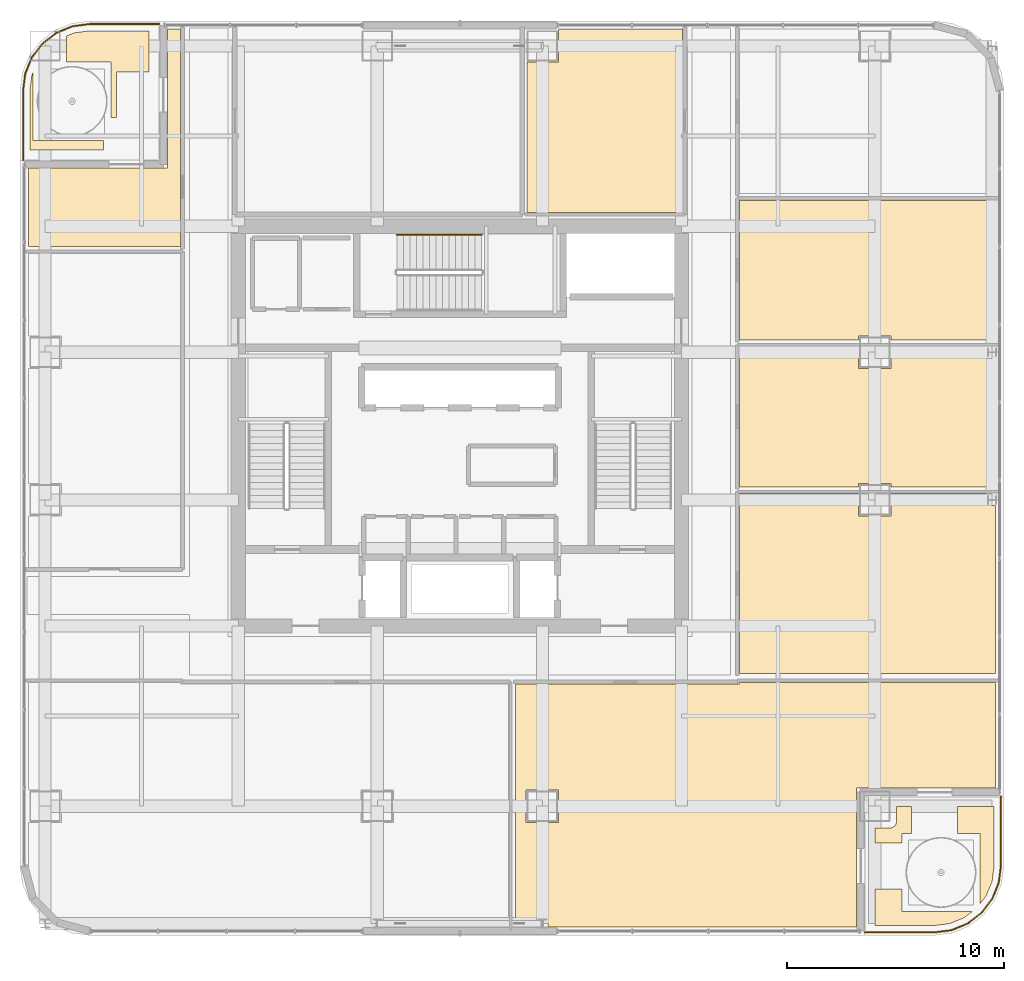
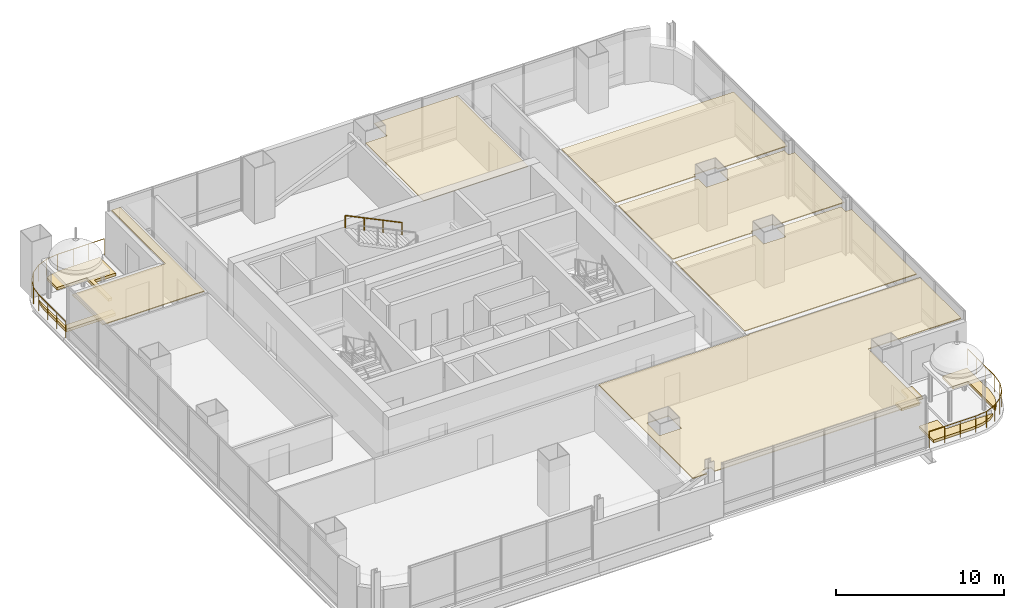
# One storey, part 39 of 41: 11 coverings, 3 railings.
"""IFC4 building model written with IfcOpenShell, lengths in metres."""

import ifcopenshell
import ifcopenshell.guid

model = None  # the IFC model being written
_history = None  # IfcOwnerHistory: only IFC2X3 demands one
_inside = {}  # id of a spatial element -> (the spatial element, [elements in it])
_under = {}  # id of a project, library or spatial element -> (it, [spatial elements below it])
_declared = {}  # id of a project -> (the project, [libraries it declares])
_typed = {}  # id of a type object -> (the type object, [elements of that type])
_made_of = {}  # id of a material, layer set ... -> (it, [elements and type objects made of it])


def new_model(schema):
    """Start an empty IFC model of exactly this schema.

    Asked for "IFC4X3", IfcOpenShell would pick the latest addendum, in which some entities
    have other attributes; the version numbers below select the first issue.
    IFC2X3 requires an IfcOwnerHistory on every rooted entity: one is made here for all.
    """
    global model, _history
    if schema == "IFC4X3":
        model = ifcopenshell.file(schema_version=(4, 3, 0, 0))
    else:
        model = ifcopenshell.file(schema=schema)
    _inside.clear()
    _under.clear()
    _declared.clear()
    _typed.clear()
    _made_of.clear()
    _history = None
    if model.schema == "IFC2X3":
        org = make("IfcOrganization", Name="unknown")
        user = make(
            "IfcPersonAndOrganization",
            ThePerson=make("IfcPerson", FamilyName="unknown"),
            TheOrganization=org,
        )
        app = make(
            "IfcApplication",
            ApplicationDeveloper=org,
            Version="unknown",
            ApplicationFullName="unknown",
            ApplicationIdentifier="unknown",
        )
        _history = make(
            "IfcOwnerHistory",
            OwningUser=user,
            OwningApplication=app,
            ChangeAction="ADDED",
            CreationDate=0,
        )
    return model


def make(cls, **values):
    """One entity of the class cls with the attributes given. An attribute that is None is left unset."""
    return model.create_entity(
        cls, **{name: value for name, value in values.items() if value is not None}
    )


def rooted(cls, **values):
    """An entity with a GlobalId (a new one), such as an element, a storey or a relation."""
    return make(cls, GlobalId=ifcopenshell.guid.new(), OwnerHistory=_history, **values)


def si_unit(unit_type, name, prefix=None):
    """IfcSIUnit, for example si_unit("LENGTHUNIT", "METRE", prefix="MILLI")."""
    return make("IfcSIUnit", UnitType=unit_type, Prefix=prefix, Name=name)


def assignment(units):
    """IfcUnitAssignment: the units of a project."""
    return None if units is None else make("IfcUnitAssignment", Units=units)


def point(xyz):
    """IfcCartesianPoint."""
    return None if xyz is None else make("IfcCartesianPoint", Coordinates=xyz)


def direction(xyz):
    """IfcDirection."""
    return None if xyz is None else make("IfcDirection", DirectionRatios=xyz)


def frame(location, z_axis=None, x_axis=None):
    """IfcAxis2Placement3D, a coordinate frame: its origin and axes. An axis left out is left unset."""
    return make(
        "IfcAxis2Placement3D",
        Location=point(location),
        Axis=direction(z_axis),
        RefDirection=direction(x_axis),
    )


def frame_2d(location, x_axis=None):
    """IfcAxis2Placement2D, a coordinate frame in the plane: its origin and x axis."""
    return make(
        "IfcAxis2Placement2D", Location=point(location), RefDirection=direction(x_axis)
    )


def origin():
    """The frame at (0, 0, 0) with its axes left unset."""
    return frame((0.0, 0.0, 0.0))


def origin_2d():
    """The frame at (0, 0) in the plane with its x axis left unset."""
    return frame_2d((0.0, 0.0))


def place(relative_to, where):
    """IfcLocalPlacement: puts the frame where relative to a parent placement (None: the world)."""
    return make(
        "IfcLocalPlacement", PlacementRelTo=relative_to, RelativePlacement=where
    )


def context(
    kind, dimensions, precision=None, world=None, true_north=None, identifier=None
):
    """IfcGeometricRepresentationContext, for example the 3D "Model" context."""
    return make(
        "IfcGeometricRepresentationContext",
        ContextIdentifier=identifier,
        ContextType=kind,
        CoordinateSpaceDimension=dimensions,
        Precision=precision,
        WorldCoordinateSystem=world,
        TrueNorth=true_north,
    )


def subcontext(parent, identifier, kind, view, scale=None):
    """IfcGeometricRepresentationSubContext, for example "Body" below "Model"."""
    return make(
        "IfcGeometricRepresentationSubContext",
        ContextIdentifier=identifier,
        ContextType=kind,
        ParentContext=parent,
        TargetScale=scale,
        TargetView=view,
    )


def project(units=None, contexts=None):
    """IfcProject with its units and contexts."""
    return rooted(
        "IfcProject",
        Name="project",
        RepresentationContexts=contexts,
        UnitsInContext=assignment(units),
    )


def spatial(cls, under=None, at=None, **own):
    """A site, building, storey or space (cls), placed at a placement, below another one or the project."""
    s = rooted(cls, ObjectPlacement=at, **own)
    if under is not None:
        _under.setdefault(under.id(), (under, []))[1].append(s)
    return s


def polyline(points):
    """IfcPolyline through the points."""
    return make("IfcPolyline", Points=[point(p) for p in points])


def profile(cls, at=None, kind="AREA", **sizes):
    """A parametric profile (cls). Its sizes go by their IFC names, for example OverallWidth=200.0."""
    return make(cls, ProfileType=kind, Position=at, **sizes)


def circle(**sizes):
    """IfcCircleProfileDef."""
    return profile("IfcCircleProfileDef", **sizes)


def outline(outer, holes=None, kind="AREA"):
    """IfcArbitraryClosedProfileDef: a profile drawn as a closed curve; with holes, ...WithVoids."""
    if holes is None:
        return make("IfcArbitraryClosedProfileDef", ProfileType=kind, OuterCurve=outer)
    return make(
        "IfcArbitraryProfileDefWithVoids",
        ProfileType=kind,
        OuterCurve=outer,
        InnerCurves=holes,
    )


def extrude(swept, where, along, depth):
    """IfcExtrudedAreaSolid: the profile swept, set in the frame where, extruded along a direction by depth."""
    return make(
        "IfcExtrudedAreaSolid",
        SweptArea=swept,
        Position=where,
        ExtrudedDirection=direction(along),
        Depth=depth,
    )


def shape(context_of_items, identifier, shape_type, items):
    """IfcShapeRepresentation: the items that make up one representation, for example the "Body"."""
    return make(
        "IfcShapeRepresentation",
        ContextOfItems=context_of_items,
        RepresentationIdentifier=identifier,
        RepresentationType=shape_type,
        Items=items,
    )


def material(Name=None, Category=None):
    """IfcMaterial."""
    return make("IfcMaterial", Name=Name, Category=Category)


def layer(
    of_material, thickness, ventilated=None, Name=None, Category=None, Priority=None
):
    """IfcMaterialLayer: one layer of a wall or slab, of a material (None: an air gap)."""
    return make(
        "IfcMaterialLayer",
        Material=of_material,
        LayerThickness=thickness,
        IsVentilated=ventilated,
        Name=Name,
        Category=Category,
        Priority=Priority,
    )


def layer_set(layers, Name=None):
    """IfcMaterialLayerSet."""
    return make("IfcMaterialLayerSet", MaterialLayers=layers, LayerSetName=Name)


def made_of(thing, what):
    """Note that an element or type object is made of a material, layer set ...; save() writes the relation."""
    if what is not None:
        _made_of.setdefault(what.id(), (what, []))[1].append(thing)
    return thing


def type_object(cls, material=None, **own):
    """A type object (cls), such as IfcWallType, which elements share."""
    return made_of(rooted(cls, **own), material)


def element(
    cls,
    number,
    at=None,
    inside=None,
    cuts=None,
    type_object=None,
    material=None,
    context=None,
    identifier="Body",
    shape_type=None,
    held_by="IfcProductDefinitionShape",
    body=None,
    shapes=None,
    **own,
):
    """One element of the class cls, such as IfcWall. Its Tag is "e" and its number.

    at: its placement. inside: the storey or other place that contains it. cuts: it is an
    opening in that element (IfcRelVoidsElement). A single representation is given by context,
    identifier, shape_type and body (its items); several are given by shapes. held_by: the class
    of the entity that holds the representations. save() writes the other relations.
    """
    e = rooted(cls, Tag="e%d" % number, ObjectPlacement=at, **own)
    if body is not None:
        shapes = [shape(context, identifier, shape_type, body)]
    if shapes is not None:
        e.Representation = make(held_by, Representations=shapes)
    if inside is not None:
        _inside.setdefault(inside.id(), (inside, []))[1].append(e)
    if cuts is not None:
        rooted(
            "IfcRelVoidsElement", RelatingBuildingElement=cuts, RelatedOpeningElement=e
        )
    if type_object is not None:
        _typed.setdefault(type_object.id(), (type_object, []))[1].append(e)
    return made_of(e, material)


def aggregate(whole, parts):
    """IfcRelAggregates: a whole, such as a stair, and the parts it consists of."""
    return rooted("IfcRelAggregates", RelatingObject=whole, RelatedObjects=parts)


def save(model, path):
    """Write the relations noted so far, then the file.

    IfcRelAggregates (storeys below a building ...), IfcRelContainedInSpatialStructure (elements
    in a storey), IfcRelDefinesByType, IfcRelAssociatesMaterial and IfcRelDeclares: one each for
    every whole, place, type object, material and project.
    """
    for whole, parts in _under.values():
        aggregate(whole, parts)
    for where, things in _inside.values():
        rooted(
            "IfcRelContainedInSpatialStructure",
            RelatedElements=things,
            RelatingStructure=where,
        )
    for kind, things in _typed.values():
        rooted("IfcRelDefinesByType", RelatedObjects=things, RelatingType=kind)
    for what, things in _made_of.values():
        rooted("IfcRelAssociatesMaterial", RelatedObjects=things, RelatingMaterial=what)
    for by, libraries in _declared.values():
        rooted("IfcRelDeclares", RelatingContext=by, RelatedDefinitions=libraries)
    model.write(path)


model = new_model("IFC4")

# Units and contexts
model_context = context("Model", 3, precision=1e-05, world=origin(), true_north=direction((0.0, 1.0)))
body_context = subcontext(model_context, "Body", "Model", "MODEL_VIEW")
ifc_project = project(units=[si_unit("LENGTHUNIT", "METRE"), si_unit("AREAUNIT", "SQUARE_METRE"), si_unit("VOLUMEUNIT", "CUBIC_METRE"), si_unit("PLANEANGLEUNIT", "RADIAN"), si_unit("MASSUNIT", "GRAM", prefix="KILO")], contexts=[model_context])

# Site, building, storey
site_placement = place(None, origin())
site = spatial("IfcSite", under=ifc_project, at=site_placement, CompositionType="ELEMENT")
building_placement = place(site_placement, origin())
building = spatial("IfcBuilding", under=site, at=building_placement, Name="Punatoya Terracotta Tower", CompositionType="ELEMENT")
storey_placement = place(building_placement, frame((0.0, 0.0, 220.800048828125)))
storey = spatial("IfcBuildingStorey", under=building, at=storey_placement, Name="L52", CompositionType="ELEMENT", Elevation=220.800048828125)

# Coverings
ifc_material_1 = material(Name="Acoustic Mineral Fibre Ceiling")
ifc_layer_1 = layer(ifc_material_1, 0.06005859375)
ifc_layer_set_1 = layer_set([ifc_layer_1], Name="Acoustic Mineral Fibre Ceiling")
covering_type_1 = type_object("IfcCoveringType", Name="COV-CEIL-60", PredefinedType="CEILING", material=ifc_layer_set_1)
covering_1_placement = place(storey_placement, frame((0.0, 0.0, 3.219970703125)))
element("IfcCovering", 1, at=covering_1_placement, inside=storey, type_object=covering_type_1, Name="L52 Cartography Reference Library Acoustic Ceiling", PredefinedType="CEILING", context=body_context, shape_type="SweptSolid", body=[
    extrude(outline(polyline([(12.8701171875, -11.8701171875), (2.56005859375, -11.8701171875), (2.56005859375, -23.070068359375), (3.54541015625, -23.070068359375), (3.54541015625, -22.637451171875), (4.054443359375, -22.637451171875), (4.054443359375, -23.070068359375), (18.27001953125, -23.070068359375), (18.27001953125, -16.669921875), (24.669921875, -16.669921875), (24.669921875, -11.81005859375), (12.8701171875, -11.81005859375), (12.8701171875, -11.8701171875)]), holes=[polyline([(3.050048828125, -18.25), (3.050048828125, -16.75), (4.550048828125, -16.75), (4.550048828125, -18.25), (3.050048828125, -18.25)])]), origin(), (0.0, 0.0, 1.0), 0.06005859375),
])
covering_2_placement = place(storey_placement, frame((0.0, 0.0, 3.219970703125)))
element("IfcCovering", 2, at=covering_2_placement, inside=storey, type_object=covering_type_1, Name="L52 Open-Plan Materials Testing Laboratory Acoustic Ceiling", PredefinedType="CEILING", context=body_context, shape_type="SweptSolid", body=[
    extrude(outline(polyline([(24.24560546875, -3.114013671875), (19.85009765625, -3.114013671875), (19.85009765625, -4.14990234375), (18.35009765625, -4.14990234375), (18.35009765625, -3.114013671875), (12.8701171875, -3.114013671875), (12.8701171875, -11.389892578125), (24.669921875, -11.389892578125), (24.669921875, -3.66259765625), (24.24560546875, -3.66259765625), (24.24560546875, -3.114013671875)])), origin(), (0.0, 0.0, 1.0), 0.06005859375),
])
covering_3_placement = place(storey_placement, frame((0.0, 0.0, 3.219970703125)))
element("IfcCovering", 3, at=covering_3_placement, inside=storey, type_object=covering_type_1, Name="L52 Open-Plan Environmental Research Laboratory Acoustic Ceiling", PredefinedType="CEILING", context=body_context, shape_type="SweptSolid", body=[
    extrude(outline(polyline([(24.24560546875, 3.137451171875), (24.24560546875, 3.639892578125), (19.85009765625, 3.639892578125), (19.85009765625, 2.64990234375), (18.35009765625, 2.64990234375), (18.35009765625, 3.639892578125), (12.8701171875, 3.639892578125), (12.8701171875, -2.7939453125), (18.35009765625, -2.7939453125), (18.35009765625, -2.64990234375), (19.85009765625, -2.64990234375), (19.85009765625, -2.7939453125), (24.669921875, -2.7939453125), (24.669921875, 3.137451171875), (24.24560546875, 3.137451171875)])), origin(), (0.0, 0.0, 1.0), 0.06005859375),
])
covering_4_placement = place(storey_placement, frame((0.0, 0.0, 3.219970703125)))
element("IfcCovering", 4, at=covering_4_placement, inside=storey, type_object=covering_type_1, Name="L52 Laboratory Staff Pantry Acoustic Ceiling", PredefinedType="CEILING", context=body_context, shape_type="SweptSolid", body=[
    extrude(outline(polyline([(18.35009765625, 3.9599609375), (18.35009765625, 4.14990234375), (19.85009765625, 4.14990234375), (19.85009765625, 3.9599609375), (24.669921875, 3.9599609375), (24.669921875, 10.39404296875), (12.8701171875, 10.39404296875), (12.8701171875, 3.9599609375), (18.35009765625, 3.9599609375)])), origin(), (0.0, 0.0, 1.0), 0.06005859375),
])
covering_5_placement = place(storey_placement, frame((0.0, 0.0, 3.219970703125)))
element("IfcCovering", 5, at=covering_5_placement, inside=storey, type_object=covering_type_1, Name="L52 Wellness Rest Room Acoustic Ceiling", PredefinedType="CEILING", context=body_context, shape_type="SweptSolid", body=[
    extrude(outline(polyline([(-13.469970703125, 11.8701171875), (-19.8701171875, 11.8701171875), (-19.8701171875, 8.258056640625), (-12.8701171875, 8.258056640625), (-12.8701171875, 18.27001953125), (-13.469970703125, 18.27001953125), (-13.469970703125, 11.8701171875)])), origin(), (0.0, 0.0, 1.0), 0.06005859375),
])
covering_6_placement = place(storey_placement, frame((0.0, 0.0, 3.219970703125)))
element("IfcCovering", 6, at=covering_6_placement, inside=storey, type_object=covering_type_1, Name="L52 Open-Plan Hydrology Modelling Laboratory Acoustic Ceiling", PredefinedType="CEILING", context=body_context, shape_type="SweptSolid", body=[
    extrude(outline(polyline([(4.550048828125, 18.27001953125), (4.550048828125, 16.75), (3.093994140625, 16.75), (3.093994140625, 9.840087890625), (10.260009765625, 9.840087890625), (10.260009765625, 18.27001953125), (4.550048828125, 18.27001953125)])), origin(), (0.0, 0.0, 1.0), 0.06005859375),
])
ifc_material_2 = material(Name="Green Roof Planting Soil Medium")
ifc_layer_2 = layer(ifc_material_2, 0.35009765625)
ifc_layer_set_2 = layer_set([ifc_layer_2], Name="Green Roof Planting Soil Medium")
covering_type_2 = type_object("IfcCoveringType", Name="COV-TER-350", PredefinedType="ROOFING", material=ifc_layer_set_2)
covering_7_placement = place(storey_placement, origin())
element("IfcCovering", 7, at=covering_7_placement, inside=storey, type_object=covering_type_2, Name="L52 NW Corner Sky-Court Terrace Planted Soil Bed 1", PredefinedType="ROOFING", context=body_context, shape_type="SweptSolid", body=[
    extrude(outline(polyline([(-16.39990234375, 13.14990234375), (-19.64990234375, 13.14990234375), (-19.64990234375, 16.28759765625), (-19.70263671875, 16.16064453125), (-19.800048828125, 15.42041015625), (-19.800048828125, 12.719970703125), (-16.39990234375, 12.719970703125), (-16.39990234375, 13.14990234375)])), origin(), (0.0, 0.0, 1.0), 0.199951171875),
])
covering_8_placement = place(storey_placement, origin())
element("IfcCovering", 8, at=covering_8_placement, inside=storey, type_object=covering_type_2, Name="L52 NW Corner Sky-Court Terrace Planted Soil Bed 2", PredefinedType="ROOFING", context=body_context, shape_type="SweptSolid", body=[
    extrude(outline(polyline([(-16.050048828125, 16.75), (-16.050048828125, 14.199951171875), (-15.800048828125, 14.199951171875), (-15.800048828125, 16.300048828125), (-14.320068359375, 16.300048828125), (-14.320068359375, 18.199951171875), (-17.0205078125, 18.199951171875), (-17.7607421875, 18.1025390625), (-18.10009765625, 17.9619140625), (-18.10009765625, 16.800048828125), (-18.101318359375, 16.7705078125), (-18.1044921875, 16.75), (-16.050048828125, 16.75)])), origin(), (0.0, 0.0, 1.0), 0.199951171875),
])
covering_9_placement = place(storey_placement, origin())
element("IfcCovering", 9, at=covering_9_placement, inside=storey, type_object=covering_type_2, Name="L52 SE Corner Sky-Court Terrace Planted Soil Bed 1", PredefinedType="ROOFING", context=body_context, shape_type="SweptSolid", body=[
    extrude(outline(polyline([(20.35009765625, -18.75), (20.800048828125, -18.75), (20.800048828125, -17.52001953125), (20.10009765625, -17.52001953125), (20.10009765625, -18.199951171875), (20.0986328125, -18.2294921875), (20.09423828125, -18.258544921875), (20.087158203125, -18.287109375), (20.0771484375, -18.314697265625), (20.064697265625, -18.34130859375), (20.04931640625, -18.36669921875), (20.031982421875, -18.390380859375), (20.01220703125, -18.412109375), (19.990234375, -18.431884765625), (19.966796875, -18.449462890625), (19.94140625, -18.464599609375), (19.914794921875, -18.477294921875), (19.88720703125, -18.487060546875), (19.8583984375, -18.494140625), (19.829345703125, -18.49853515625), (19.800048828125, -18.5), (19.1201171875, -18.5), (19.1201171875, -19.199951171875), (20.35009765625, -19.199951171875), (20.35009765625, -18.75)])), origin(), (0.0, 0.0, 1.0), 0.199951171875),
])
covering_10_placement = place(storey_placement, origin())
element("IfcCovering", 10, at=covering_10_placement, inside=storey, type_object=covering_type_2, Name="L52 SE Corner Sky-Court Terrace Planted Soil Bed 2", PredefinedType="ROOFING", context=body_context, shape_type="SweptSolid", body=[
    extrude(outline(polyline([(23.585693359375, -22.35009765625), (20.35009765625, -22.35009765625), (20.35009765625, -21.300048828125), (19.1201171875, -21.300048828125), (19.1201171875, -23.0), (21.820556640625, -23.0), (22.560791015625, -22.902587890625), (23.222900390625, -22.628173828125), (23.585693359375, -22.35009765625)])), origin(), (0.0, 0.0, 1.0), 0.199951171875),
])
covering_11_placement = place(storey_placement, origin())
element("IfcCovering", 11, at=covering_11_placement, inside=storey, type_object=covering_type_2, Name="L52 SE Corner Sky-Court Terrace Planted Soil Bed 3", PredefinedType="ROOFING", context=body_context, shape_type="SweptSolid", body=[
    extrude(outline(polyline([(23.949951171875, -18.75), (23.949951171875, -21.985595703125), (24.228271484375, -21.623046875), (24.502685546875, -20.960693359375), (24.60009765625, -20.220458984375), (24.60009765625, -17.52001953125), (22.89990234375, -17.52001953125), (22.89990234375, -18.75), (23.949951171875, -18.75)])), origin(), (0.0, 0.0, 1.0), 0.199951171875),
])

# Railings
ifc_material_3 = material(Name="Steel S355", Category="steel")
railing_type_1 = type_object("IfcRailingType", Name="RLG-BAL-1200", PredefinedType="BALUSTRADE", material=ifc_material_3)
railing_1_placement = place(storey_placement, frame((-13.840087890625, 18.510009765625, 0.0)))
element("IfcRailing", 12, at=railing_1_placement, inside=storey, type_object=railing_type_1, Name="L52 NW Corner Sky-Court Terrace Guardrail", PredefinedType="BALUSTRADE", context=body_context, shape_type="SweptSolid", body=[
    extrude(circle(Radius=0.02392578125, at=origin_2d()), frame((0.0, 0.0, 1.17578125), z_axis=(-1.0, 0.0, 0.0), x_axis=(0.0, -1.0, 0.0)), (0.0, 0.0, 1.0), 3.20068359375),
    extrude(circle(Radius=0.02392578125, at=origin_2d()), frame((-3.20068359375, 0.0, 1.17578125), z_axis=(-0.991442978173, -0.130540495755, 0.0), x_axis=(0.130540495755, -0.991442978173, 0.0)), (0.0, 0.0, 1.0), 0.807861328125),
    extrude(circle(Radius=0.02392578125, at=origin_2d()), frame((-4.001708984375, -0.10546875, 1.17578125), z_axis=(-0.923916202141, -0.382594892048, 0.0), x_axis=(0.382594892048, -0.923916202141, 0.0)), (0.0, 0.0, 1.0), 0.79833984375),
    extrude(circle(Radius=0.02392578125, at=origin_2d()), frame((-4.7392578125, -0.410888671875, 1.17578125), z_axis=(-0.793237218551, -0.608912731929, 0.0), x_axis=(0.608912731929, -0.793237218551, 0.0)), (0.0, 0.0, 1.0), 0.798583984375),
    extrude(circle(Radius=0.02392578125, at=origin_2d()), frame((-5.372802734375, -0.897216796875, 1.17578125), z_axis=(-0.608868017528, -0.793271540667, 0.0), x_axis=(0.793271540667, -0.608868017528, 0.0)), (0.0, 0.0, 1.0), 0.79833984375),
    extrude(circle(Radius=0.02392578125, at=origin_2d()), frame((-5.85888671875, -1.530517578125, 1.17578125), z_axis=(-0.382747782788, -0.923852875068, 0.0), x_axis=(0.923852875068, -0.382747782788, 0.0)), (0.0, 0.0, 1.0), 0.798583984375),
    extrude(circle(Radius=0.02392578125, at=origin_2d()), frame((-6.16455078125, -2.268310546875, 1.17578125), z_axis=(-0.130579616175, -0.991437826512, 0.0), x_axis=(0.991437826512, -0.130579616175, 0.0)), (0.0, 0.0, 1.0), 0.8076171875),
    extrude(circle(Radius=0.02392578125, at=origin_2d()), frame((-6.27001953125, -3.069091796875, 1.17578125), z_axis=(0.0, -1.0, 0.0), x_axis=(1.0, 0.0, 0.0)), (0.0, 0.0, 1.0), 3.200927734375),
    extrude(circle(Radius=0.02099609375, at=origin_2d()), origin(), (0.0, 0.0, 1.0), 1.15185546875),
    extrude(circle(Radius=0.02099609375, at=origin_2d()), frame((-1.06689453125, 0.0, 0.0)), (0.0, 0.0, 1.0), 1.15185546875),
    extrude(circle(Radius=0.02099609375, at=origin_2d()), frame((-2.1337890625, 0.0, 0.0)), (0.0, 0.0, 1.0), 1.15185546875),
    extrude(circle(Radius=0.02099609375, at=origin_2d()), frame((-3.20068359375, 0.0, 0.0)), (0.0, 0.0, 1.0), 1.15185546875),
    extrude(circle(Radius=0.02099609375, at=origin_2d()), frame((-4.001708984375, -0.10546875, 0.0)), (0.0, 0.0, 1.0), 1.15185546875),
    extrude(circle(Radius=0.02099609375, at=origin_2d()), frame((-4.7392578125, -0.410888671875, 0.0)), (0.0, 0.0, 1.0), 1.15185546875),
    extrude(circle(Radius=0.02099609375, at=origin_2d()), frame((-5.372802734375, -0.897216796875, 0.0)), (0.0, 0.0, 1.0), 1.15185546875),
    extrude(circle(Radius=0.02099609375, at=origin_2d()), frame((-5.85888671875, -1.530517578125, 0.0)), (0.0, 0.0, 1.0), 1.15185546875),
    extrude(circle(Radius=0.02099609375, at=origin_2d()), frame((-6.16455078125, -2.268310546875, 0.0)), (0.0, 0.0, 1.0), 1.15185546875),
    extrude(circle(Radius=0.02099609375, at=origin_2d()), frame((-6.27001953125, -3.069091796875, 0.0)), (0.0, 0.0, 1.0), 1.15185546875),
    extrude(circle(Radius=0.02099609375, at=origin_2d()), frame((-6.27001953125, -4.135986328125, 0.0)), (0.0, 0.0, 1.0), 1.15185546875),
    extrude(circle(Radius=0.02099609375, at=origin_2d()), frame((-6.27001953125, -5.203125, 0.0)), (0.0, 0.0, 1.0), 1.15185546875),
    extrude(circle(Radius=0.02099609375, at=origin_2d()), frame((-6.27001953125, -6.27001953125, 0.0)), (0.0, 0.0, 1.0), 1.15185546875),
])
railing_2_placement = place(storey_placement, frame((18.639892578125, -23.31005859375, 0.0)))
element("IfcRailing", 13, at=railing_2_placement, inside=storey, type_object=railing_type_1, Name="L52 SE Corner Sky-Court Terrace Guardrail", PredefinedType="BALUSTRADE", context=body_context, shape_type="SweptSolid", body=[
    extrude(circle(Radius=0.02392578125, at=origin_2d()), frame((0.0, 0.0, 1.17578125), z_axis=(1.0, 0.0, 0.0), x_axis=(0.0, 1.0, 0.0)), (0.0, 0.0, 1.0), 3.200927734375),
    extrude(circle(Radius=0.02392578125, at=origin_2d()), frame((3.200927734375, 0.0, 1.17578125), z_axis=(0.991437826512, 0.130579616175, 0.0), x_axis=(-0.130579616175, 0.991437826512, 0.0)), (0.0, 0.0, 1.0), 0.8076171875),
    extrude(circle(Radius=0.02392578125, at=origin_2d()), frame((4.001708984375, 0.10546875, 1.17578125), z_axis=(0.923852875068, 0.382747782788, 0.0), x_axis=(-0.382747782788, 0.923852875068, 0.0)), (0.0, 0.0, 1.0), 0.798583984375),
    extrude(circle(Radius=0.02392578125, at=origin_2d()), frame((4.739501953125, 0.4111328125, 1.17578125), z_axis=(0.793384869445, 0.608720337212, 0.0), x_axis=(-0.608720337212, 0.793384869445, 0.0)), (0.0, 0.0, 1.0), 0.798583984375),
    extrude(circle(Radius=0.02392578125, at=origin_2d()), frame((5.373046875, 0.897216796875, 1.17578125), z_axis=(0.608720337212, 0.793384869445, 0.0), x_axis=(-0.793384869445, 0.608720337212, 0.0)), (0.0, 0.0, 1.0), 0.798583984375),
    extrude(circle(Radius=0.02392578125, at=origin_2d()), frame((5.859130859375, 1.53076171875, 1.17578125), z_axis=(0.382855910246, 0.92380807097, 0.0), x_axis=(-0.92380807097, 0.382855910246, 0.0)), (0.0, 0.0, 1.0), 0.79833984375),
    extrude(circle(Radius=0.02392578125, at=origin_2d()), frame((6.164794921875, 2.268310546875, 1.17578125), z_axis=(0.130243450464, 0.991482044019, 0.0), x_axis=(-0.991482044019, 0.130243450464, 0.0)), (0.0, 0.0, 1.0), 0.807861328125),
    extrude(circle(Radius=0.02392578125, at=origin_2d()), frame((6.27001953125, 3.0693359375, 1.17578125), z_axis=(0.0, 1.0, 0.0), x_axis=(-1.0, 0.0, 0.0)), (0.0, 0.0, 1.0), 3.20068359375),
    extrude(circle(Radius=0.02099609375, at=origin_2d()), origin(), (0.0, 0.0, 1.0), 1.15185546875),
    extrude(circle(Radius=0.02099609375, at=origin_2d()), frame((1.06689453125, 0.0, 0.0)), (0.0, 0.0, 1.0), 1.15185546875),
    extrude(circle(Radius=0.02099609375, at=origin_2d()), frame((2.134033203125, 0.0, 0.0)), (0.0, 0.0, 1.0), 1.15185546875),
    extrude(circle(Radius=0.02099609375, at=origin_2d()), frame((3.200927734375, 0.0, 0.0)), (0.0, 0.0, 1.0), 1.15185546875),
    extrude(circle(Radius=0.02099609375, at=origin_2d()), frame((4.001708984375, 0.10546875, 0.0)), (0.0, 0.0, 1.0), 1.15185546875),
    extrude(circle(Radius=0.02099609375, at=origin_2d()), frame((4.739501953125, 0.4111328125, 0.0)), (0.0, 0.0, 1.0), 1.15185546875),
    extrude(circle(Radius=0.02099609375, at=origin_2d()), frame((5.373046875, 0.897216796875, 0.0)), (0.0, 0.0, 1.0), 1.15185546875),
    extrude(circle(Radius=0.02099609375, at=origin_2d()), frame((5.859130859375, 1.53076171875, 0.0)), (0.0, 0.0, 1.0), 1.15185546875),
    extrude(circle(Radius=0.02099609375, at=origin_2d()), frame((6.164794921875, 2.268310546875, 0.0)), (0.0, 0.0, 1.0), 1.15185546875),
    extrude(circle(Radius=0.02099609375, at=origin_2d()), frame((6.27001953125, 3.0693359375, 0.0)), (0.0, 0.0, 1.0), 1.15185546875),
    extrude(circle(Radius=0.02099609375, at=origin_2d()), frame((6.27001953125, 4.13623046875, 0.0)), (0.0, 0.0, 1.0), 1.15185546875),
    extrude(circle(Radius=0.02099609375, at=origin_2d()), frame((6.27001953125, 5.203125, 0.0)), (0.0, 0.0, 1.0), 1.15185546875),
    extrude(circle(Radius=0.02099609375, at=origin_2d()), frame((6.27001953125, 6.27001953125, 0.0)), (0.0, 0.0, 1.0), 1.15185546875),
])
railing_type_2 = type_object("IfcRailingType", Name="RLG-HND-900", PredefinedType="HANDRAIL", material=ifc_material_3)
railing_3_placement = place(storey_placement, frame((1.0, 8.800048828125, 2.169677734375)))
element("IfcRailing", 14, at=railing_3_placement, inside=storey, type_object=railing_type_2, Name="L52 ST-3 stair handrail 2", PredefinedType="HANDRAIL", context=body_context, shape_type="SweptSolid", body=[
    extrude(circle(Radius=0.02392578125, at=origin_2d()), frame((0.0, 0.0, 0.8759765625), z_axis=(-0.900763166376, 0.0, 0.434310623978), x_axis=(0.0, -1.0, 0.0)), (0.0, 0.0, 1.0), 4.32958984375),
    extrude(circle(Radius=0.02099609375, at=origin_2d()), origin(), (0.0, 0.0, 1.0), 0.851806640625),
    extrude(circle(Radius=0.02099609375, at=origin_2d()), frame((-1.300048828125, 0.0, 0.626708984375)), (0.0, 0.0, 1.0), 0.851806640625),
    extrude(circle(Radius=0.02099609375, at=origin_2d()), frame((-2.599853515625, 0.0, 1.253662109375)), (0.0, 0.0, 1.0), 0.851806640625),
    extrude(circle(Radius=0.02099609375, at=origin_2d()), frame((-3.89990234375, 0.0, 1.88037109375)), (0.0, 0.0, 1.0), 0.851806640625),
])

save(model, "model.ifc")
